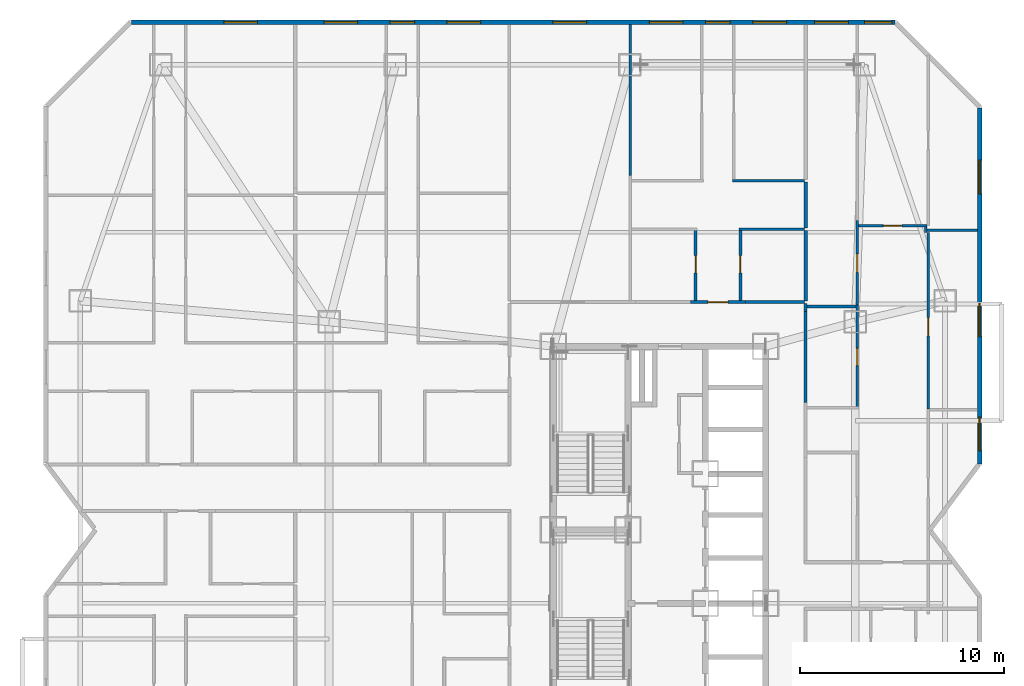
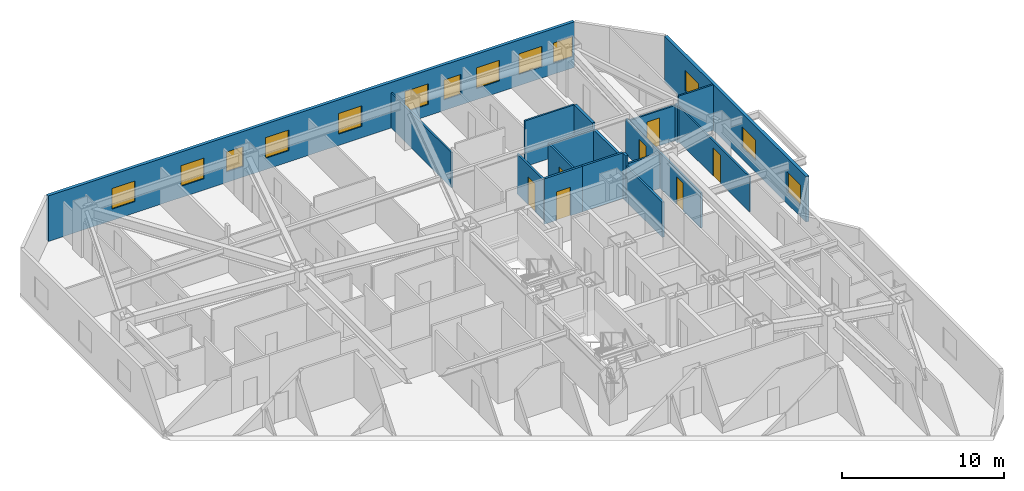
# One storey, part 11 of 13: 20 walls, 13 windows, 7 doors, 20 openings.
"""IFC4 building model written with IfcOpenShell, lengths in metres."""

from ifc_helpers import new_model, si_unit, direction, frame, frame_2d, origin, place, context, subcontext, project, spatial, rectangle, extrude, material, layer, layer_set, type_object, element, fill, save


model = new_model("IFC4")

# Units and contexts
model_context = context("Model", 3, precision=1e-05, world=origin(), true_north=direction((0.0, 1.0)))
body_context = subcontext(model_context, "Body", "Model", "MODEL_VIEW")
ifc_project = project(units=[si_unit("LENGTHUNIT", "METRE"), si_unit("AREAUNIT", "SQUARE_METRE"), si_unit("VOLUMEUNIT", "CUBIC_METRE"), si_unit("PLANEANGLEUNIT", "RADIAN"), si_unit("MASSUNIT", "GRAM", prefix="KILO")], contexts=[model_context])

# Site, building, storey
site_placement = place(None, origin())
site = spatial("IfcSite", under=ifc_project, at=site_placement, CompositionType="ELEMENT")
building_placement = place(site_placement, origin())
building = spatial("IfcBuilding", under=site, at=building_placement, Name="Khamvora Tower", CompositionType="ELEMENT")
storey_placement = place(building_placement, frame((0.0, 0.0, 62.5)))
storey = spatial("IfcBuildingStorey", under=building, at=storey_placement, Name="L15", CompositionType="ELEMENT", Elevation=62.5)

# Wall, opening, door
ifc_material_1 = material(Name="Fire-Rated Drywall and Steel Stud", Category="steel")
ifc_layer_1 = layer(ifc_material_1, 0.14990234375)
ifc_layer_set_1 = layer_set([ifc_layer_1], Name="Fire-Rated Drywall and Steel Stud")
wall_type_1 = type_object("IfcWallType", Name="WAL-CORR-150", PredefinedType="STANDARD", material=ifc_layer_set_1)
wall_1_placement = place(storey_placement, frame((35.716064453125, 39.1650390625, 0.0), z_axis=(0.0, 0.0, 1.0), x_axis=(1.0, 0.0, 0.0)))
wall_1 = element("IfcWall", 1, at=wall_1_placement, inside=storey, type_object=wall_type_1, Name="L15 interior partition wall 027", PredefinedType="STANDARD", context=body_context, shape_type="SweptSolid", body=[
    extrude(rectangle(XDim=2.697998046875, YDim=0.14990234375, at=frame_2d((1.34912109375, 0.0))), origin(), (0.0, 0.0, 1.0), 3.429931640625),
])
opening_1_placement = place(wall_1_placement, frame((0.84912109375, 0.0, 0.0)))
opening_1 = element("IfcOpeningElement", 2, at=opening_1_placement, cuts=wall_1, Name="Opening D-U1", PredefinedType="OPENING", context=body_context, shape_type="SweptSolid", body=[
    extrude(rectangle(XDim=1.0, YDim=2.14990234375, at=frame_2d((0.5, 1.074951171875))), frame((0.0, 0.0849609375, 0.0), z_axis=(0.0, -1.0, 0.0), x_axis=(1.0, 0.0, 0.0)), (0.0, 0.0, 1.0), 0.169921875),
])
ifc_material_2 = material(Name="Powder-Coated Steel and Hardwood Leaf", Category="steel")
door_type_1 = type_object("IfcDoorType", Name="DOR-UNIT-1000", OperationType="NOTDEFINED", PredefinedType="DOOR", material=ifc_material_2)
door_1_placement = place(opening_1_placement, origin())
door_1 = element("IfcDoor", 3, at=door_1_placement, inside=storey, type_object=door_type_1, Name="L15 interior door COR-15NAH", OperationType="SINGLE_SWING_RIGHT", OverallHeight=2.14990234375, OverallWidth=1.0, PredefinedType="DOOR", context=body_context, shape_type="SweptSolid", body=[
    extrude(rectangle(XDim=1.0, YDim=2.14990234375, at=frame_2d((0.5, 1.074951171875))), frame((0.0, 0.02490234375, 0.0), z_axis=(0.0, -1.0, 0.0), x_axis=(1.0, 0.0, 0.0)), (0.0, 0.0, 1.0), 0.050048828125),
])
fill(opening_1, door_1)

# Walls
wall_2_placement = place(storey_placement, frame((38.4140625, 39.1650390625, 0.0), z_axis=(0.0, 0.0, 1.0), x_axis=(1.0, 0.0, 0.0)))
element("IfcWall", 4, at=wall_2_placement, inside=storey, type_object=wall_type_1, Name="L15 interior partition wall 029", PredefinedType="STANDARD", context=body_context, shape_type="SweptSolid", body=[
    extrude(rectangle(XDim=2.885986328125, YDim=0.14990234375, at=frame_2d((1.44287109375, 0.0))), origin(), (0.0, 0.0, 1.0), 3.429931640625),
])
wall_3_placement = place(storey_placement, frame((41.364990234375, 39.10009765625, 0.0), z_axis=(0.0, 0.0, 1.0), x_axis=(0.0, -1.0, 0.0)))
element("IfcWall", 5, at=wall_3_placement, inside=storey, type_object=wall_type_1, Name="L15 interior partition wall 036", PredefinedType="STANDARD", context=body_context, shape_type="SweptSolid", body=[
    extrude(rectangle(XDim=0.39306640625, YDim=0.14990234375, at=frame_2d((0.196533203125, 0.0))), origin(), (0.0, 0.0, 1.0), 3.429931640625),
])
wall_4_placement = place(storey_placement, frame((41.364990234375, 38.70703125, 0.0), z_axis=(0.0, 0.0, 1.0), x_axis=(0.0, -1.0, 0.0)))
element("IfcWall", 6, at=wall_4_placement, inside=storey, type_object=wall_type_1, Name="L15 interior partition wall 039", PredefinedType="STANDARD", context=body_context, shape_type="SweptSolid", body=[
    extrude(rectangle(XDim=4.467041015625, YDim=0.14990234375, at=frame_2d((2.2333984375, 0.0))), origin(), (0.0, 0.0, 1.0), 2.64697265625),
])
ifc_material_3 = material(Name="Acoustic Double-Stud Fire Wall", Category="gypsum")
ifc_layer_2 = layer(ifc_material_3, 0.179931640625)
ifc_layer_set_2 = layer_set([ifc_layer_2], Name="Acoustic Double-Stud Fire Wall")
wall_type_2 = type_object("IfcWallType", Name="WAL-CORR-180", PredefinedType="STANDARD", material=ifc_layer_set_2)
wall_5_placement = place(storey_placement, frame((41.364990234375, 45.06005859375, 0.0), z_axis=(0.0, 0.0, 1.0), x_axis=(0.0, -1.0, 0.0)))
element("IfcWall", 7, at=wall_5_placement, inside=storey, type_object=wall_type_2, Name="L15 interior partition wall 133", PredefinedType="STANDARD", context=body_context, shape_type="SweptSolid", body=[
    extrude(rectangle(XDim=2.25, YDim=0.179931640625, at=frame_2d((1.125, 0.0))), origin(), (0.0, 0.0, 1.0), 3.429931640625),
])
wall_6_placement = place(storey_placement, frame((41.364990234375, 42.679931640625, 0.0), z_axis=(0.0, 0.0, 1.0), x_axis=(0.0, -1.0, 0.0)))
element("IfcWall", 8, at=wall_6_placement, inside=storey, type_object=wall_type_2, Name="L15 interior partition wall 134", PredefinedType="STANDARD", context=body_context, shape_type="SweptSolid", body=[
    extrude(rectangle(XDim=3.449951171875, YDim=0.179931640625, at=frame_2d((1.72509765625, 0.0))), origin(), (0.0, 0.0, 1.0), 3.012939453125),
])

# Wall, openings, windows
ifc_material_4 = material(Name="Precast concrete C40/50", Category="concrete")
ifc_layer_3 = layer(ifc_material_4, 0.219970703125)
ifc_layer_set_3 = layer_set([ifc_layer_3], Name="Precast concrete C40/50")
wall_type_3 = type_object("IfcWallType", Name="WAL-EXT-220", PredefinedType="STANDARD", material=ifc_layer_set_3)
wall_7_placement = place(storey_placement, frame((8.31494140625, 52.889892578125, 0.0), z_axis=(0.0, 0.0, 1.0), x_axis=(1.0, 0.0, 0.0)))
wall_7 = element("IfcWall", 9, at=wall_7_placement, inside=storey, type_object=wall_type_3, Name="L15 exterior facade wall 07.1", PredefinedType="STANDARD", context=body_context, shape_type="SweptSolid", body=[
    extrude(rectangle(XDim=37.43896484375, YDim=0.219970703125, at=frame_2d((18.719482421875, 0.0))), origin(), (0.0, 0.0, 1.0), 3.429931640625),
])
opening_2_placement = place(wall_7_placement, frame((20.659912109375, 0.0, 0.85009765625)))
opening_2 = element("IfcOpeningElement", 10, at=opening_2_placement, cuts=wall_7, Name="Opening WN-06", PredefinedType="OPENING", context=body_context, shape_type="SweptSolid", body=[
    extrude(rectangle(XDim=1.64990234375, YDim=1.550048828125, at=frame_2d((0.824951171875, 0.77490234375))), frame((0.0, 0.119873046875, 0.0), z_axis=(0.0, -1.0, 0.0), x_axis=(1.0, 0.0, 0.0)), (0.0, 0.0, 1.0), 0.239990234375),
])
opening_3_placement = place(wall_7_placement, frame((4.52392578125, 0.0, 0.85009765625)))
opening_3 = element("IfcOpeningElement", 11, at=opening_3_placement, cuts=wall_7, Name="Opening WN-06", PredefinedType="OPENING", context=body_context, shape_type="SweptSolid", body=[
    extrude(rectangle(XDim=1.64990234375, YDim=1.550048828125, at=frame_2d((0.824951171875, 0.77490234375))), frame((0.0, 0.119873046875, 0.0), z_axis=(0.0, -1.0, 0.0), x_axis=(1.0, 0.0, 0.0)), (0.0, 0.0, 1.0), 0.239990234375),
])
opening_4_placement = place(wall_7_placement, frame((12.676025390625, 0.0, 0.800048828125)))
opening_4 = element("IfcOpeningElement", 12, at=opening_4_placement, cuts=wall_7, Name="Opening WN-03", PredefinedType="OPENING", context=body_context, shape_type="SweptSolid", body=[
    extrude(rectangle(XDim=1.199951171875, YDim=1.5, at=frame_2d((0.60009765625, 0.75))), frame((0.0, 0.119873046875, 0.0), z_axis=(0.0, -1.0, 0.0), x_axis=(1.0, 0.0, 0.0)), (0.0, 0.0, 1.0), 0.239990234375),
])
opening_5_placement = place(wall_7_placement, frame((9.43603515625, 0.0, 0.85009765625)))
opening_5 = element("IfcOpeningElement", 13, at=opening_5_placement, cuts=wall_7, Name="Opening WN-06", PredefinedType="OPENING", context=body_context, shape_type="SweptSolid", body=[
    extrude(rectangle(XDim=1.64990234375, YDim=1.550048828125, at=frame_2d((0.824951171875, 0.77490234375))), frame((0.0, 0.119873046875, 0.0), z_axis=(0.0, -1.0, 0.0), x_axis=(1.0, 0.0, 0.0)), (0.0, 0.0, 1.0), 0.239990234375),
])
opening_6_placement = place(wall_7_placement, frame((15.465087890625, 0.0, 0.85009765625)))
opening_6 = element("IfcOpeningElement", 14, at=opening_6_placement, cuts=wall_7, Name="Opening WN-06", PredefinedType="OPENING", context=body_context, shape_type="SweptSolid", body=[
    extrude(rectangle(XDim=1.64990234375, YDim=1.550048828125, at=frame_2d((0.824951171875, 0.77490234375))), frame((0.0, 0.119873046875, 0.0), z_axis=(0.0, -1.0, 0.0), x_axis=(1.0, 0.0, 0.0)), (0.0, 0.0, 1.0), 0.239990234375),
])
opening_7_placement = place(wall_7_placement, frame((28.14990234375, 0.0, 0.800048828125)))
opening_7 = element("IfcOpeningElement", 15, at=opening_7_placement, cuts=wall_7, Name="Opening WN-03", PredefinedType="OPENING", context=body_context, shape_type="SweptSolid", body=[
    extrude(rectangle(XDim=1.199951171875, YDim=1.5, at=frame_2d((0.60009765625, 0.75))), frame((0.0, 0.119873046875, 0.0), z_axis=(0.0, -1.0, 0.0), x_axis=(1.0, 0.0, 0.0)), (0.0, 0.0, 1.0), 0.239990234375),
])
opening_8_placement = place(wall_7_placement, frame((25.383056640625, 0.0, 0.85009765625)))
opening_8 = element("IfcOpeningElement", 16, at=opening_8_placement, cuts=wall_7, Name="Opening WN-06", PredefinedType="OPENING", context=body_context, shape_type="SweptSolid", body=[
    extrude(rectangle(XDim=1.64990234375, YDim=1.550048828125, at=frame_2d((0.824951171875, 0.77490234375))), frame((0.0, 0.119873046875, 0.0), z_axis=(0.0, -1.0, 0.0), x_axis=(1.0, 0.0, 0.0)), (0.0, 0.0, 1.0), 0.239990234375),
])
opening_9_placement = place(wall_7_placement, frame((30.468017578125, 0.0, 0.85009765625)))
opening_9 = element("IfcOpeningElement", 17, at=opening_9_placement, cuts=wall_7, Name="Opening WN-06", PredefinedType="OPENING", context=body_context, shape_type="SweptSolid", body=[
    extrude(rectangle(XDim=1.64990234375, YDim=1.550048828125, at=frame_2d((0.824951171875, 0.77490234375))), frame((0.0, 0.119873046875, 0.0), z_axis=(0.0, -1.0, 0.0), x_axis=(1.0, 0.0, 0.0)), (0.0, 0.0, 1.0), 0.239990234375),
])
opening_10_placement = place(wall_7_placement, frame((33.489990234375, 0.0, 0.85009765625)))
opening_10 = element("IfcOpeningElement", 18, at=opening_10_placement, cuts=wall_7, Name="Opening WN-06", PredefinedType="OPENING", context=body_context, shape_type="SweptSolid", body=[
    extrude(rectangle(XDim=1.64990234375, YDim=1.550048828125, at=frame_2d((0.824951171875, 0.77490234375))), frame((0.0, 0.119873046875, 0.0), z_axis=(0.0, -1.0, 0.0), x_axis=(1.0, 0.0, 0.0)), (0.0, 0.0, 1.0), 0.239990234375),
])
opening_11_placement = place(wall_7_placement, frame((35.94189453125, 0.0, 0.85009765625)))
opening_11 = element("IfcOpeningElement", 19, at=opening_11_placement, cuts=wall_7, Name="Opening WN-07", PredefinedType="OPENING", context=body_context, shape_type="SweptSolid", body=[
    extrude(rectangle(XDim=1.35009765625, YDim=1.5, at=frame_2d((0.675048828125, 0.75))), frame((0.0, 0.119873046875, 0.0), z_axis=(0.0, -1.0, 0.0), x_axis=(1.0, 0.0, 0.0)), (0.0, 0.0, 1.0), 0.239990234375),
])
ifc_material_5 = material(Name="Low-E Laminated Double Glazing", Category="glass")
window_type_1 = type_object("IfcWindowType", Name="WIN-VIS-1200x1500", PartitioningType="SINGLE_PANEL", PredefinedType="WINDOW", material=ifc_material_5)
window_1_placement = place(opening_4_placement, origin())
window_1 = element("IfcWindow", 20, at=window_1_placement, inside=storey, type_object=window_type_1, Name="L15 vision window 07.1.03", OverallHeight=1.5, OverallWidth=1.199951171875, PartitioningType="SINGLE_PANEL", PredefinedType="WINDOW", context=body_context, shape_type="SweptSolid", body=[
    extrude(rectangle(XDim=1.199951171875, YDim=1.5, at=frame_2d((0.60009765625, 0.75))), frame((0.0, 0.030029296875, 0.0), z_axis=(0.0, -1.0, 0.0), x_axis=(1.0, 0.0, 0.0)), (0.0, 0.0, 1.0), 0.06005859375),
])
fill(opening_4, window_1)
window_2_placement = place(opening_7_placement, origin())
window_2 = element("IfcWindow", 21, at=window_2_placement, inside=storey, type_object=window_type_1, Name="L15 vision window 07.1.06", OverallHeight=1.5, OverallWidth=1.199951171875, PartitioningType="SINGLE_PANEL", PredefinedType="WINDOW", context=body_context, shape_type="SweptSolid", body=[
    extrude(rectangle(XDim=1.199951171875, YDim=1.5, at=frame_2d((0.60009765625, 0.75))), frame((0.0, 0.030029296875, 0.0), z_axis=(0.0, -1.0, 0.0), x_axis=(1.0, 0.0, 0.0)), (0.0, 0.0, 1.0), 0.06005859375),
])
fill(opening_7, window_2)
window_type_2 = type_object("IfcWindowType", Name="WIN-VIS-1350x1500", PartitioningType="SINGLE_PANEL", PredefinedType="WINDOW", material=ifc_material_5)
window_3_placement = place(opening_11_placement, origin())
window_3 = element("IfcWindow", 22, at=window_3_placement, inside=storey, type_object=window_type_2, Name="L15 vision window 07.1.10", OverallHeight=1.5, OverallWidth=1.35009765625, PartitioningType="SINGLE_PANEL", PredefinedType="WINDOW", context=body_context, shape_type="SweptSolid", body=[
    extrude(rectangle(XDim=1.35009765625, YDim=1.5, at=frame_2d((0.675048828125, 0.75))), frame((0.0, 0.030029296875, 0.0), z_axis=(0.0, -1.0, 0.0), x_axis=(1.0, 0.0, 0.0)), (0.0, 0.0, 1.0), 0.06005859375),
])
fill(opening_11, window_3)
window_type_3 = type_object("IfcWindowType", Name="WIN-VIS-1650x1550", PartitioningType="SINGLE_PANEL", PredefinedType="WINDOW", material=ifc_material_5)
window_4_placement = place(opening_2_placement, origin())
window_4 = element("IfcWindow", 23, at=window_4_placement, inside=storey, type_object=window_type_3, Name="L15 vision window 07.1.01", OverallHeight=1.550048828125, OverallWidth=1.64990234375, PartitioningType="SINGLE_PANEL", PredefinedType="WINDOW", context=body_context, shape_type="SweptSolid", body=[
    extrude(rectangle(XDim=1.64990234375, YDim=1.550048828125, at=frame_2d((0.824951171875, 0.77490234375))), frame((0.0, 0.030029296875, 0.0), z_axis=(0.0, -1.0, 0.0), x_axis=(1.0, 0.0, 0.0)), (0.0, 0.0, 1.0), 0.06005859375),
])
fill(opening_2, window_4)
window_5_placement = place(opening_3_placement, origin())
window_5 = element("IfcWindow", 24, at=window_5_placement, inside=storey, type_object=window_type_3, Name="L15 vision window 07.1.02", OverallHeight=1.550048828125, OverallWidth=1.64990234375, PartitioningType="SINGLE_PANEL", PredefinedType="WINDOW", context=body_context, shape_type="SweptSolid", body=[
    extrude(rectangle(XDim=1.64990234375, YDim=1.550048828125, at=frame_2d((0.824951171875, 0.77490234375))), frame((0.0, 0.030029296875, 0.0), z_axis=(0.0, -1.0, 0.0), x_axis=(1.0, 0.0, 0.0)), (0.0, 0.0, 1.0), 0.06005859375),
])
fill(opening_3, window_5)
window_6_placement = place(opening_5_placement, origin())
window_6 = element("IfcWindow", 25, at=window_6_placement, inside=storey, type_object=window_type_3, Name="L15 vision window 07.1.04", OverallHeight=1.550048828125, OverallWidth=1.64990234375, PartitioningType="SINGLE_PANEL", PredefinedType="WINDOW", context=body_context, shape_type="SweptSolid", body=[
    extrude(rectangle(XDim=1.64990234375, YDim=1.550048828125, at=frame_2d((0.824951171875, 0.77490234375))), frame((0.0, 0.030029296875, 0.0), z_axis=(0.0, -1.0, 0.0), x_axis=(1.0, 0.0, 0.0)), (0.0, 0.0, 1.0), 0.06005859375),
])
fill(opening_5, window_6)
window_7_placement = place(opening_6_placement, origin())
window_7 = element("IfcWindow", 26, at=window_7_placement, inside=storey, type_object=window_type_3, Name="L15 vision window 07.1.05", OverallHeight=1.550048828125, OverallWidth=1.64990234375, PartitioningType="SINGLE_PANEL", PredefinedType="WINDOW", context=body_context, shape_type="SweptSolid", body=[
    extrude(rectangle(XDim=1.64990234375, YDim=1.550048828125, at=frame_2d((0.824951171875, 0.77490234375))), frame((0.0, 0.030029296875, 0.0), z_axis=(0.0, -1.0, 0.0), x_axis=(1.0, 0.0, 0.0)), (0.0, 0.0, 1.0), 0.06005859375),
])
fill(opening_6, window_7)
window_8_placement = place(opening_8_placement, origin())
window_8 = element("IfcWindow", 27, at=window_8_placement, inside=storey, type_object=window_type_3, Name="L15 vision window 07.1.07", OverallHeight=1.550048828125, OverallWidth=1.64990234375, PartitioningType="SINGLE_PANEL", PredefinedType="WINDOW", context=body_context, shape_type="SweptSolid", body=[
    extrude(rectangle(XDim=1.64990234375, YDim=1.550048828125, at=frame_2d((0.824951171875, 0.77490234375))), frame((0.0, 0.030029296875, 0.0), z_axis=(0.0, -1.0, 0.0), x_axis=(1.0, 0.0, 0.0)), (0.0, 0.0, 1.0), 0.06005859375),
])
fill(opening_8, window_8)
window_9_placement = place(opening_9_placement, origin())
window_9 = element("IfcWindow", 28, at=window_9_placement, inside=storey, type_object=window_type_3, Name="L15 vision window 07.1.08", OverallHeight=1.550048828125, OverallWidth=1.64990234375, PartitioningType="SINGLE_PANEL", PredefinedType="WINDOW", context=body_context, shape_type="SweptSolid", body=[
    extrude(rectangle(XDim=1.64990234375, YDim=1.550048828125, at=frame_2d((0.824951171875, 0.77490234375))), frame((0.0, 0.030029296875, 0.0), z_axis=(0.0, -1.0, 0.0), x_axis=(1.0, 0.0, 0.0)), (0.0, 0.0, 1.0), 0.06005859375),
])
fill(opening_9, window_9)
window_10_placement = place(opening_10_placement, origin())
window_10 = element("IfcWindow", 29, at=window_10_placement, inside=storey, type_object=window_type_3, Name="L15 vision window 07.1.09", OverallHeight=1.550048828125, OverallWidth=1.64990234375, PartitioningType="SINGLE_PANEL", PredefinedType="WINDOW", context=body_context, shape_type="SweptSolid", body=[
    extrude(rectangle(XDim=1.64990234375, YDim=1.550048828125, at=frame_2d((0.824951171875, 0.77490234375))), frame((0.0, 0.030029296875, 0.0), z_axis=(0.0, -1.0, 0.0), x_axis=(1.0, 0.0, 0.0)), (0.0, 0.0, 1.0), 0.06005859375),
])
fill(opening_10, window_10)

wall_8_placement = place(storey_placement, frame((49.889892578125, 48.68310546875, 0.0), z_axis=(0.0, 0.0, 1.0), x_axis=(0.0, -1.0, 0.0)))
wall_8 = element("IfcWall", 30, at=wall_8_placement, inside=storey, type_object=wall_type_3, Name="L15 exterior facade wall 09.1", PredefinedType="STANDARD", context=body_context, shape_type="SweptSolid", body=[
    extrude(rectangle(XDim=17.446044921875, YDim=0.219970703125, at=frame_2d((8.72314453125, 0.0))), origin(), (0.0, 0.0, 1.0), 3.429931640625),
])
opening_12_placement = place(wall_8_placement, frame((15.14892578125, 0.0, 0.85009765625)))
opening_12 = element("IfcOpeningElement", 31, at=opening_12_placement, cuts=wall_8, Name="Opening WN-06", PredefinedType="OPENING", context=body_context, shape_type="SweptSolid", body=[
    extrude(rectangle(XDim=1.64990234375, YDim=1.550048828125, at=frame_2d((0.824951171875, 0.77490234375))), frame((0.0, 0.119873046875, 0.0), z_axis=(0.0, -1.0, 0.0), x_axis=(1.0, 0.0, 0.0)), (0.0, 0.0, 1.0), 0.239990234375),
])
opening_13_placement = place(wall_8_placement, frame((9.56005859375, 0.0, 0.85009765625)))
opening_13 = element("IfcOpeningElement", 32, at=opening_13_placement, cuts=wall_8, Name="Opening WN-06", PredefinedType="OPENING", context=body_context, shape_type="SweptSolid", body=[
    extrude(rectangle(XDim=1.64990234375, YDim=1.550048828125, at=frame_2d((0.824951171875, 0.77490234375))), frame((0.0, 0.119873046875, 0.0), z_axis=(0.0, -1.0, 0.0), x_axis=(1.0, 0.0, 0.0)), (0.0, 0.0, 1.0), 0.239990234375),
])
opening_14_placement = place(wall_8_placement, frame((2.55908203125, 0.0, 0.85009765625)))
opening_14 = element("IfcOpeningElement", 33, at=opening_14_placement, cuts=wall_8, Name="Opening WN-06", PredefinedType="OPENING", context=body_context, shape_type="SweptSolid", body=[
    extrude(rectangle(XDim=1.64990234375, YDim=1.550048828125, at=frame_2d((0.824951171875, 0.77490234375))), frame((0.0, 0.119873046875, 0.0), z_axis=(0.0, -1.0, 0.0), x_axis=(1.0, 0.0, 0.0)), (0.0, 0.0, 1.0), 0.239990234375),
])
window_11_placement = place(opening_12_placement, origin())
window_11 = element("IfcWindow", 34, at=window_11_placement, inside=storey, type_object=window_type_3, Name="L15 vision window 09.1.01", OverallHeight=1.550048828125, OverallWidth=1.64990234375, PartitioningType="SINGLE_PANEL", PredefinedType="WINDOW", context=body_context, shape_type="SweptSolid", body=[
    extrude(rectangle(XDim=1.64990234375, YDim=1.550048828125, at=frame_2d((0.824951171875, 0.77490234375))), frame((0.0, 0.030029296875, 0.0), z_axis=(0.0, -1.0, 0.0), x_axis=(1.0, 0.0, 0.0)), (0.0, 0.0, 1.0), 0.06005859375),
])
fill(opening_12, window_11)
window_12_placement = place(opening_13_placement, origin())
window_12 = element("IfcWindow", 35, at=window_12_placement, inside=storey, type_object=window_type_3, Name="L15 vision window 09.1.02", OverallHeight=1.550048828125, OverallWidth=1.64990234375, PartitioningType="SINGLE_PANEL", PredefinedType="WINDOW", context=body_context, shape_type="SweptSolid", body=[
    extrude(rectangle(XDim=1.64990234375, YDim=1.550048828125, at=frame_2d((0.824951171875, 0.77490234375))), frame((0.0, 0.030029296875, 0.0), z_axis=(0.0, -1.0, 0.0), x_axis=(1.0, 0.0, 0.0)), (0.0, 0.0, 1.0), 0.06005859375),
])
fill(opening_13, window_12)
window_13_placement = place(opening_14_placement, origin())
window_13 = element("IfcWindow", 36, at=window_13_placement, inside=storey, type_object=window_type_3, Name="L15 vision window 09.1.03", OverallHeight=1.550048828125, OverallWidth=1.64990234375, PartitioningType="SINGLE_PANEL", PredefinedType="WINDOW", context=body_context, shape_type="SweptSolid", body=[
    extrude(rectangle(XDim=1.64990234375, YDim=1.550048828125, at=frame_2d((0.824951171875, 0.77490234375))), frame((0.0, 0.030029296875, 0.0), z_axis=(0.0, -1.0, 0.0), x_axis=(1.0, 0.0, 0.0)), (0.0, 0.0, 1.0), 0.06005859375),
])
fill(opening_14, window_13)

# Walls
ifc_material_6 = material(Name="Gypsum Plasterboard Partition", Category="gypsum")
ifc_layer_4 = layer(ifc_material_6, 0.1201171875)
ifc_layer_set_4 = layer_set([ifc_layer_4], Name="Gypsum Plasterboard Partition")
wall_type_4 = type_object("IfcWallType", Name="WAL-PART-120", PredefinedType="PARTITIONING", material=ifc_layer_set_4)
wall_9_placement = place(storey_placement, frame((32.764892578125, 52.7880859375, 0.0), z_axis=(0.0, 0.0, 1.0), x_axis=(0.0, -1.0, 0.0)))
element("IfcWall", 37, at=wall_9_placement, inside=storey, type_object=wall_type_4, Name="L15 interior partition wall 046", PredefinedType="PARTITIONING", context=body_context, shape_type="SweptSolid", body=[
    extrude(rectangle(XDim=7.4140625, YDim=0.1201171875, at=frame_2d((3.70703125, 0.0))), origin(), (0.0, 0.0, 1.0), 2.64697265625),
])
wall_10_placement = place(storey_placement, frame((37.784912109375, 45.125, 0.0), z_axis=(0.0, 0.0, 1.0), x_axis=(1.0, 0.0, 0.0)))
element("IfcWall", 38, at=wall_10_placement, inside=storey, type_object=wall_type_4, Name="L15 interior partition wall 132", PredefinedType="PARTITIONING", context=body_context, shape_type="SweptSolid", body=[
    extrude(rectangle(XDim=3.51513671875, YDim=0.1201171875, at=frame_2d((1.757568359375, 0.0))), origin(), (0.0, 0.0, 1.0), 3.429931640625),
])

# Wall, opening, door
wall_11_placement = place(storey_placement, frame((43.89501953125, 43.16796875, 0.0), z_axis=(0.0, 0.0, 1.0), x_axis=(0.0, -1.0, 0.0)))
wall_11 = element("IfcWall", 39, at=wall_11_placement, inside=storey, type_object=wall_type_4, Name="L15 interior partition wall 144", PredefinedType="PARTITIONING", context=body_context, shape_type="SweptSolid", body=[
    extrude(rectangle(XDim=4.14697265625, YDim=0.1201171875, at=frame_2d((2.073486328125, 0.0))), origin(), (0.0, 0.0, 1.0), 2.64697265625),
])
opening_15_placement = place(wall_11_placement, frame((1.64501953125, 0.0, 0.0)))
opening_15 = element("IfcOpeningElement", 40, at=opening_15_placement, cuts=wall_11, Name="Opening D-RM1", PredefinedType="OPENING", context=body_context, shape_type="SweptSolid", body=[
    extrude(rectangle(XDim=0.89990234375, YDim=2.10009765625, at=frame_2d((0.449951171875, 1.050048828125))), frame((0.0, 0.070068359375, 0.0), z_axis=(0.0, -1.0, 0.0), x_axis=(1.0, 0.0, 0.0)), (0.0, 0.0, 1.0), 0.14013671875),
])
door_type_2 = type_object("IfcDoorType", Name="DOR-ROOM-900", OperationType="NOTDEFINED", PredefinedType="DOOR", material=ifc_material_2)
door_2_placement = place(opening_15_placement, origin())
door_2 = element("IfcDoor", 41, at=door_2_placement, inside=storey, type_object=door_type_2, Name="L15 interior door 15EBW2-15EBH", OperationType="SINGLE_SWING_LEFT", OverallHeight=2.10009765625, OverallWidth=0.89990234375, PredefinedType="DOOR", context=body_context, shape_type="SweptSolid", body=[
    extrude(rectangle(XDim=0.89990234375, YDim=2.10009765625, at=frame_2d((0.449951171875, 1.050048828125))), frame((0.0, 0.02490234375, 0.0), z_axis=(0.0, -1.0, 0.0), x_axis=(1.0, 0.0, 0.0)), (0.0, 0.0, 1.0), 0.050048828125),
])
fill(opening_15, door_2)

wall_12_placement = place(storey_placement, frame((43.948974609375, 42.9189453125, 0.0), z_axis=(0.0, 0.0, 1.0), x_axis=(1.0, 0.0, 0.0)))
wall_12 = element("IfcWall", 42, at=wall_12_placement, inside=storey, type_object=wall_type_4, Name="L15 interior partition wall 147", PredefinedType="PARTITIONING", context=body_context, shape_type="SweptSolid", body=[
    extrude(rectangle(XDim=3.361083984375, YDim=0.1201171875, at=frame_2d((1.6806640625, 0.0))), origin(), (0.0, 0.0, 1.0), 2.64697265625),
])
opening_16_placement = place(wall_12_placement, frame((1.23095703125, 0.0, 0.0)))
opening_16 = element("IfcOpeningElement", 43, at=opening_16_placement, cuts=wall_12, Name="Opening D-RM1", PredefinedType="OPENING", context=body_context, shape_type="SweptSolid", body=[
    extrude(rectangle(XDim=0.89990234375, YDim=2.10009765625, at=frame_2d((0.449951171875, 1.050048828125))), frame((0.0, 0.070068359375, 0.0), z_axis=(0.0, -1.0, 0.0), x_axis=(1.0, 0.0, 0.0)), (0.0, 0.0, 1.0), 0.14013671875),
])
door_3_placement = place(opening_16_placement, origin())
door_3 = element("IfcDoor", 44, at=door_3_placement, inside=storey, type_object=door_type_2, Name="L15 interior door 15EBH-15EBD", OperationType="SINGLE_SWING_LEFT", OverallHeight=2.10009765625, OverallWidth=0.89990234375, PredefinedType="DOOR", context=body_context, shape_type="SweptSolid", body=[
    extrude(rectangle(XDim=0.89990234375, YDim=2.10009765625, at=frame_2d((0.449951171875, 1.050048828125))), frame((0.0, 0.02490234375, 0.0), z_axis=(0.0, -1.0, 0.0), x_axis=(1.0, 0.0, 0.0)), (0.0, 0.0, 1.0), 0.050048828125),
])
fill(opening_16, door_3)

# Wall
wall_13_placement = place(storey_placement, frame((47.2451171875, 42.85400390625, 0.0), z_axis=(0.0, 0.0, 1.0), x_axis=(0.0, -1.0, 0.0)))
element("IfcWall", 45, at=wall_13_placement, inside=storey, type_object=wall_type_4, Name="L15 interior partition wall 148", PredefinedType="PARTITIONING", context=body_context, shape_type="SweptSolid", body=[
    extrude(rectangle(XDim=0.27490234375, YDim=0.1201171875, at=frame_2d((0.137451171875, 0.0))), origin(), (0.0, 0.0, 1.0), 2.802978515625),
])

# Wall, opening, door
wall_14_placement = place(storey_placement, frame((47.375, 42.5791015625, 0.0), z_axis=(0.0, 0.0, 1.0), x_axis=(0.0, -1.0, 0.0)))
wall_14 = element("IfcWall", 46, at=wall_14_placement, inside=storey, type_object=wall_type_4, Name="L15 interior partition wall 154", PredefinedType="PARTITIONING", context=body_context, shape_type="SweptSolid", body=[
    extrude(rectangle(XDim=8.653076171875, YDim=0.1201171875, at=frame_2d((4.32666015625, 0.0))), origin(), (0.0, 0.0, 1.0), 2.64697265625),
])
opening_17_placement = place(wall_14_placement, frame((4.1689453125, 0.0, 0.0)))
opening_17 = element("IfcOpeningElement", 47, at=opening_17_placement, cuts=wall_14, Name="Opening D-RM1", PredefinedType="OPENING", context=body_context, shape_type="SweptSolid", body=[
    extrude(rectangle(XDim=0.89990234375, YDim=2.10009765625, at=frame_2d((0.449951171875, 1.050048828125))), frame((0.0, 0.070068359375, 0.0), z_axis=(0.0, -1.0, 0.0), x_axis=(1.0, 0.0, 0.0)), (0.0, 0.0, 1.0), 0.14013671875),
])
door_4_placement = place(opening_17_placement, origin())
door_4 = element("IfcDoor", 48, at=door_4_placement, inside=storey, type_object=door_type_2, Name="L15 interior door 15EBH-15EBR2", OperationType="SINGLE_SWING_RIGHT", OverallHeight=2.10009765625, OverallWidth=0.89990234375, PredefinedType="DOOR", context=body_context, shape_type="SweptSolid", body=[
    extrude(rectangle(XDim=0.89990234375, YDim=2.10009765625, at=frame_2d((0.449951171875, 1.050048828125))), frame((0.0, 0.02490234375, 0.0), z_axis=(0.0, -1.0, 0.0), x_axis=(1.0, 0.0, 0.0)), (0.0, 0.0, 1.0), 0.050048828125),
])
fill(opening_17, door_4)

# Wall
wall_15_placement = place(storey_placement, frame((47.299072265625, 42.699951171875, 0.0), z_axis=(0.0, 0.0, 1.0), x_axis=(1.0, 0.0, 0.0)))
element("IfcWall", 49, at=wall_15_placement, inside=storey, type_object=wall_type_4, Name="L15 interior partition wall 157", PredefinedType="PARTITIONING", context=body_context, shape_type="SweptSolid", body=[
    extrude(rectangle(XDim=2.489013671875, YDim=0.1201171875, at=frame_2d((1.24462890625, 0.0))), origin(), (0.0, 0.0, 1.0), 3.429931640625),
])

# Wall, opening, door
ifc_material_7 = material(Name="Moisture-Resistant Plasterboard Partition", Category="gypsum")
ifc_layer_5 = layer(ifc_material_7, 0.135009765625)
ifc_layer_set_5 = layer_set([ifc_layer_5], Name="Moisture-Resistant Plasterboard Partition")
wall_type_5 = type_object("IfcWallType", Name="WAL-WET-135", PredefinedType="PARTITIONING", material=ifc_layer_set_5)
wall_16_placement = place(storey_placement, frame((35.965087890625, 39.23193359375, 0.0), z_axis=(0.0, 0.0, 1.0), x_axis=(0.0, 1.0, 0.0)))
wall_16 = element("IfcWall", 50, at=wall_16_placement, inside=storey, type_object=wall_type_5, Name="L15 interior partition wall 125", PredefinedType="PARTITIONING", context=body_context, shape_type="SweptSolid", body=[
    extrude(rectangle(XDim=3.578125, YDim=0.135009765625, at=frame_2d((1.7890625, 0.0))), origin(), (0.0, 0.0, 1.0), 3.012939453125),
])
opening_18_placement = place(wall_16_placement, frame((1.364013671875, 0.0, 0.0)))
opening_18 = element("IfcOpeningElement", 51, at=opening_18_placement, cuts=wall_16, Name="Opening D-WC1", PredefinedType="OPENING", context=body_context, shape_type="SweptSolid", body=[
    extrude(rectangle(XDim=0.85009765625, YDim=2.10009765625, at=frame_2d((0.425048828125, 1.050048828125))), frame((0.0, 0.077392578125, 0.0), z_axis=(0.0, -1.0, 0.0), x_axis=(1.0, 0.0, 0.0)), (0.0, 0.0, 1.0), 0.155029296875),
])
door_type_3 = type_object("IfcDoorType", Name="DOR-WET-850", OperationType="NOTDEFINED", PredefinedType="DOOR", material=ifc_material_2)
door_5_placement = place(opening_18_placement, origin())
door_5 = element("IfcDoor", 52, at=door_5_placement, inside=storey, type_object=door_type_3, Name="L15 interior door 15NAH-15NAB", OperationType="SINGLE_SWING_LEFT", OverallHeight=2.10009765625, OverallWidth=0.85009765625, PredefinedType="DOOR", context=body_context, shape_type="SweptSolid", body=[
    extrude(rectangle(XDim=0.85009765625, YDim=2.10009765625, at=frame_2d((0.425048828125, 1.050048828125))), frame((0.0, 0.02490234375, 0.0), z_axis=(0.0, -1.0, 0.0), x_axis=(1.0, 0.0, 0.0)), (0.0, 0.0, 1.0), 0.050048828125),
])
fill(opening_18, door_5)

# Wall
wall_17_placement = place(storey_placement, frame((41.300048828125, 42.7451171875, 0.0), z_axis=(0.0, 0.0, 1.0), x_axis=(-1.0, 0.0, 0.0)))
element("IfcWall", 53, at=wall_17_placement, inside=storey, type_object=wall_type_5, Name="L15 interior partition wall 127", PredefinedType="PARTITIONING", context=body_context, shape_type="SweptSolid", body=[
    extrude(rectangle(XDim=3.199951171875, YDim=0.135009765625, at=frame_2d((1.60009765625, 0.0))), origin(), (0.0, 0.0, 1.0), 3.012939453125),
])

# Wall, opening, door
wall_18_placement = place(storey_placement, frame((38.1650390625, 42.81005859375, 0.0), z_axis=(0.0, 0.0, 1.0), x_axis=(0.0, -1.0, 0.0)))
wall_18 = element("IfcWall", 54, at=wall_18_placement, inside=storey, type_object=wall_type_5, Name="L15 interior partition wall 128", PredefinedType="PARTITIONING", context=body_context, shape_type="SweptSolid", body=[
    extrude(rectangle(XDim=3.578125, YDim=0.135009765625, at=frame_2d((1.7890625, 0.0))), origin(), (0.0, 0.0, 1.0), 3.012939453125),
])
opening_19_placement = place(wall_18_placement, frame((1.364013671875, 0.0, 0.0)))
opening_19 = element("IfcOpeningElement", 55, at=opening_19_placement, cuts=wall_18, Name="Opening D-RM2", PredefinedType="OPENING", context=body_context, shape_type="SweptSolid", body=[
    extrude(rectangle(XDim=0.85009765625, YDim=2.10009765625, at=frame_2d((0.425048828125, 1.050048828125))), frame((0.0, 0.077392578125, 0.0), z_axis=(0.0, -1.0, 0.0), x_axis=(1.0, 0.0, 0.0)), (0.0, 0.0, 1.0), 0.155029296875),
])
door_type_4 = type_object("IfcDoorType", Name="DOR-ROOM-850", OperationType="NOTDEFINED", PredefinedType="DOOR", material=ifc_material_2)
door_6_placement = place(opening_19_placement, origin())
door_6 = element("IfcDoor", 56, at=door_6_placement, inside=storey, type_object=door_type_4, Name="L15 interior door 15NAH-15NAK", OperationType="SINGLE_SWING_RIGHT", OverallHeight=2.10009765625, OverallWidth=0.85009765625, PredefinedType="DOOR", context=body_context, shape_type="SweptSolid", body=[
    extrude(rectangle(XDim=0.85009765625, YDim=2.10009765625, at=frame_2d((0.425048828125, 1.050048828125))), frame((0.0, 0.02490234375, 0.0), z_axis=(0.0, -1.0, 0.0), x_axis=(1.0, 0.0, 0.0)), (0.0, 0.0, 1.0), 0.050048828125),
])
fill(opening_19, door_6)

# Wall
wall_19_placement = place(storey_placement, frame((43.830078125, 38.9560546875, 0.0), z_axis=(0.0, 0.0, 1.0), x_axis=(-1.0, 0.0, 0.0)))
element("IfcWall", 57, at=wall_19_placement, inside=storey, type_object=wall_type_5, Name="L15 interior partition wall 146", PredefinedType="PARTITIONING", context=body_context, shape_type="SweptSolid", body=[
    extrude(rectangle(XDim=2.398193359375, YDim=0.135009765625, at=frame_2d((1.19921875, 0.0))), origin(), (0.0, 0.0, 1.0), 2.64697265625),
])

# Wall, opening, door
wall_20_placement = place(storey_placement, frame((43.89501953125, 33.926025390625, 0.0), z_axis=(0.0, 0.0, 1.0), x_axis=(0.0, 1.0, 0.0)))
wall_20 = element("IfcWall", 58, at=wall_20_placement, inside=storey, type_object=wall_type_5, Name="L15 interior partition wall 150", PredefinedType="PARTITIONING", context=body_context, shape_type="SweptSolid", body=[
    extrude(rectangle(XDim=5.094970703125, YDim=0.135009765625, at=frame_2d((2.54736328125, 0.0))), origin(), (0.0, 0.0, 1.0), 2.64697265625),
])
opening_20_placement = place(wall_20_placement, frame((2.123046875, 0.0, 0.0)))
opening_20 = element("IfcOpeningElement", 59, at=opening_20_placement, cuts=wall_20, Name="Opening D-WC1", PredefinedType="OPENING", context=body_context, shape_type="SweptSolid", body=[
    extrude(rectangle(XDim=0.85009765625, YDim=2.10009765625, at=frame_2d((0.425048828125, 1.050048828125))), frame((0.0, 0.077392578125, 0.0), z_axis=(0.0, -1.0, 0.0), x_axis=(1.0, 0.0, 0.0)), (0.0, 0.0, 1.0), 0.155029296875),
])
door_7_placement = place(opening_20_placement, origin())
door_7 = element("IfcDoor", 60, at=door_7_placement, inside=storey, type_object=door_type_3, Name="L15 interior door 15EBH-15EBB", OperationType="SINGLE_SWING_LEFT", OverallHeight=2.10009765625, OverallWidth=0.85009765625, PredefinedType="DOOR", context=body_context, shape_type="SweptSolid", body=[
    extrude(rectangle(XDim=0.85009765625, YDim=2.10009765625, at=frame_2d((0.425048828125, 1.050048828125))), frame((0.0, 0.02490234375, 0.0), z_axis=(0.0, -1.0, 0.0), x_axis=(1.0, 0.0, 0.0)), (0.0, 0.0, 1.0), 0.050048828125),
])
fill(opening_20, door_7)

save(model, "model.ifc")
